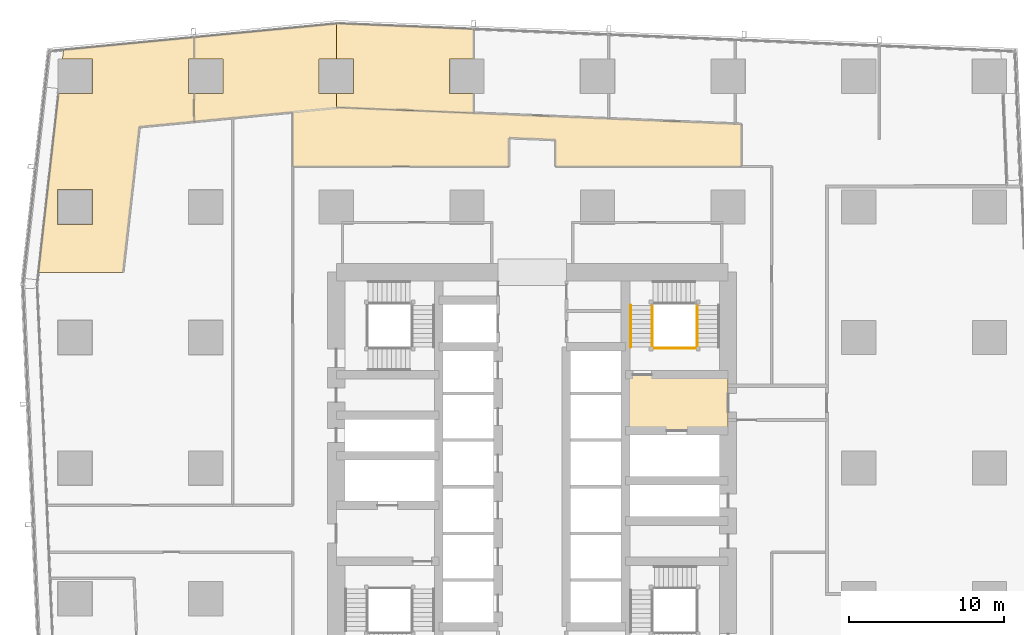
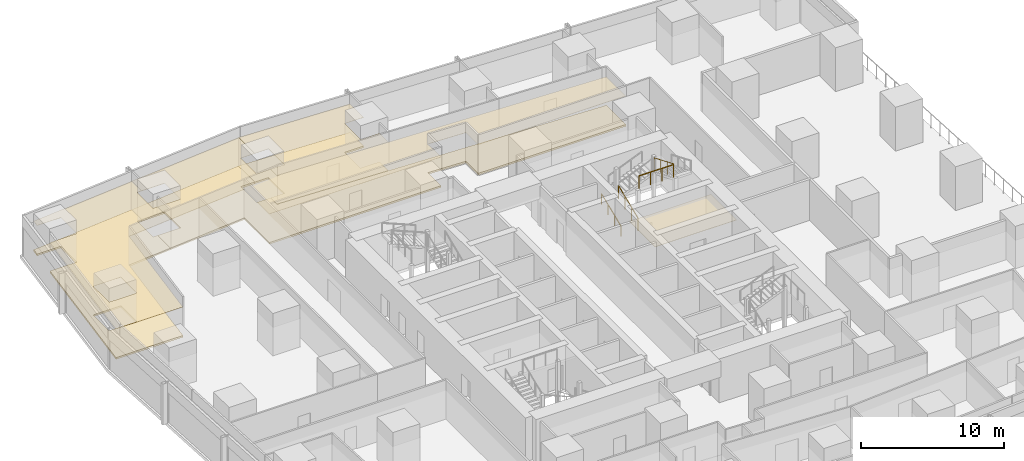
# One storey, part 40 of 42: 7 coverings, 4 railings.
"""IFC4 building model written with IfcOpenShell, lengths in metres."""

import ifcopenshell
import ifcopenshell.guid

model = None  # the IFC model being written
_history = None  # IfcOwnerHistory: only IFC2X3 demands one
_inside = {}  # id of a spatial element -> (the spatial element, [elements in it])
_under = {}  # id of a project, library or spatial element -> (it, [spatial elements below it])
_declared = {}  # id of a project -> (the project, [libraries it declares])
_typed = {}  # id of a type object -> (the type object, [elements of that type])
_made_of = {}  # id of a material, layer set ... -> (it, [elements and type objects made of it])


def new_model(schema):
    """Start an empty IFC model of exactly this schema.

    Asked for "IFC4X3", IfcOpenShell would pick the latest addendum, in which some entities
    have other attributes; the version numbers below select the first issue.
    IFC2X3 requires an IfcOwnerHistory on every rooted entity: one is made here for all.
    """
    global model, _history
    if schema == "IFC4X3":
        model = ifcopenshell.file(schema_version=(4, 3, 0, 0))
    else:
        model = ifcopenshell.file(schema=schema)
    _inside.clear()
    _under.clear()
    _declared.clear()
    _typed.clear()
    _made_of.clear()
    _history = None
    if model.schema == "IFC2X3":
        org = make("IfcOrganization", Name="unknown")
        user = make(
            "IfcPersonAndOrganization",
            ThePerson=make("IfcPerson", FamilyName="unknown"),
            TheOrganization=org,
        )
        app = make(
            "IfcApplication",
            ApplicationDeveloper=org,
            Version="unknown",
            ApplicationFullName="unknown",
            ApplicationIdentifier="unknown",
        )
        _history = make(
            "IfcOwnerHistory",
            OwningUser=user,
            OwningApplication=app,
            ChangeAction="ADDED",
            CreationDate=0,
        )
    return model


def make(cls, **values):
    """One entity of the class cls with the attributes given. An attribute that is None is left unset."""
    return model.create_entity(
        cls, **{name: value for name, value in values.items() if value is not None}
    )


def rooted(cls, **values):
    """An entity with a GlobalId (a new one), such as an element, a storey or a relation."""
    return make(cls, GlobalId=ifcopenshell.guid.new(), OwnerHistory=_history, **values)


def si_unit(unit_type, name, prefix=None):
    """IfcSIUnit, for example si_unit("LENGTHUNIT", "METRE", prefix="MILLI")."""
    return make("IfcSIUnit", UnitType=unit_type, Prefix=prefix, Name=name)


def assignment(units):
    """IfcUnitAssignment: the units of a project."""
    return None if units is None else make("IfcUnitAssignment", Units=units)


def point(xyz):
    """IfcCartesianPoint."""
    return None if xyz is None else make("IfcCartesianPoint", Coordinates=xyz)


def direction(xyz):
    """IfcDirection."""
    return None if xyz is None else make("IfcDirection", DirectionRatios=xyz)


def frame(location, z_axis=None, x_axis=None):
    """IfcAxis2Placement3D, a coordinate frame: its origin and axes. An axis left out is left unset."""
    return make(
        "IfcAxis2Placement3D",
        Location=point(location),
        Axis=direction(z_axis),
        RefDirection=direction(x_axis),
    )


def frame_2d(location, x_axis=None):
    """IfcAxis2Placement2D, a coordinate frame in the plane: its origin and x axis."""
    return make(
        "IfcAxis2Placement2D", Location=point(location), RefDirection=direction(x_axis)
    )


def origin():
    """The frame at (0, 0, 0) with its axes left unset."""
    return frame((0.0, 0.0, 0.0))


def origin_2d():
    """The frame at (0, 0) in the plane with its x axis left unset."""
    return frame_2d((0.0, 0.0))


def place(relative_to, where):
    """IfcLocalPlacement: puts the frame where relative to a parent placement (None: the world)."""
    return make(
        "IfcLocalPlacement", PlacementRelTo=relative_to, RelativePlacement=where
    )


def context(
    kind, dimensions, precision=None, world=None, true_north=None, identifier=None
):
    """IfcGeometricRepresentationContext, for example the 3D "Model" context."""
    return make(
        "IfcGeometricRepresentationContext",
        ContextIdentifier=identifier,
        ContextType=kind,
        CoordinateSpaceDimension=dimensions,
        Precision=precision,
        WorldCoordinateSystem=world,
        TrueNorth=true_north,
    )


def subcontext(parent, identifier, kind, view, scale=None):
    """IfcGeometricRepresentationSubContext, for example "Body" below "Model"."""
    return make(
        "IfcGeometricRepresentationSubContext",
        ContextIdentifier=identifier,
        ContextType=kind,
        ParentContext=parent,
        TargetScale=scale,
        TargetView=view,
    )


def project(units=None, contexts=None):
    """IfcProject with its units and contexts."""
    return rooted(
        "IfcProject",
        Name="project",
        RepresentationContexts=contexts,
        UnitsInContext=assignment(units),
    )


def spatial(cls, under=None, at=None, **own):
    """A site, building, storey or space (cls), placed at a placement, below another one or the project."""
    s = rooted(cls, ObjectPlacement=at, **own)
    if under is not None:
        _under.setdefault(under.id(), (under, []))[1].append(s)
    return s


def polyline(points):
    """IfcPolyline through the points."""
    return make("IfcPolyline", Points=[point(p) for p in points])


def profile(cls, at=None, kind="AREA", **sizes):
    """A parametric profile (cls). Its sizes go by their IFC names, for example OverallWidth=200.0."""
    return make(cls, ProfileType=kind, Position=at, **sizes)


def circle(**sizes):
    """IfcCircleProfileDef."""
    return profile("IfcCircleProfileDef", **sizes)


def outline(outer, holes=None, kind="AREA"):
    """IfcArbitraryClosedProfileDef: a profile drawn as a closed curve; with holes, ...WithVoids."""
    if holes is None:
        return make("IfcArbitraryClosedProfileDef", ProfileType=kind, OuterCurve=outer)
    return make(
        "IfcArbitraryProfileDefWithVoids",
        ProfileType=kind,
        OuterCurve=outer,
        InnerCurves=holes,
    )


def extrude(swept, where, along, depth):
    """IfcExtrudedAreaSolid: the profile swept, set in the frame where, extruded along a direction by depth."""
    return make(
        "IfcExtrudedAreaSolid",
        SweptArea=swept,
        Position=where,
        ExtrudedDirection=direction(along),
        Depth=depth,
    )


def shape(context_of_items, identifier, shape_type, items):
    """IfcShapeRepresentation: the items that make up one representation, for example the "Body"."""
    return make(
        "IfcShapeRepresentation",
        ContextOfItems=context_of_items,
        RepresentationIdentifier=identifier,
        RepresentationType=shape_type,
        Items=items,
    )


def material(Name=None, Category=None):
    """IfcMaterial."""
    return make("IfcMaterial", Name=Name, Category=Category)


def layer(
    of_material, thickness, ventilated=None, Name=None, Category=None, Priority=None
):
    """IfcMaterialLayer: one layer of a wall or slab, of a material (None: an air gap)."""
    return make(
        "IfcMaterialLayer",
        Material=of_material,
        LayerThickness=thickness,
        IsVentilated=ventilated,
        Name=Name,
        Category=Category,
        Priority=Priority,
    )


def layer_set(layers, Name=None):
    """IfcMaterialLayerSet."""
    return make("IfcMaterialLayerSet", MaterialLayers=layers, LayerSetName=Name)


def made_of(thing, what):
    """Note that an element or type object is made of a material, layer set ...; save() writes the relation."""
    if what is not None:
        _made_of.setdefault(what.id(), (what, []))[1].append(thing)
    return thing


def type_object(cls, material=None, **own):
    """A type object (cls), such as IfcWallType, which elements share."""
    return made_of(rooted(cls, **own), material)


def element(
    cls,
    number,
    at=None,
    inside=None,
    cuts=None,
    type_object=None,
    material=None,
    context=None,
    identifier="Body",
    shape_type=None,
    held_by="IfcProductDefinitionShape",
    body=None,
    shapes=None,
    **own,
):
    """One element of the class cls, such as IfcWall. Its Tag is "e" and its number.

    at: its placement. inside: the storey or other place that contains it. cuts: it is an
    opening in that element (IfcRelVoidsElement). A single representation is given by context,
    identifier, shape_type and body (its items); several are given by shapes. held_by: the class
    of the entity that holds the representations. save() writes the other relations.
    """
    e = rooted(cls, Tag="e%d" % number, ObjectPlacement=at, **own)
    if body is not None:
        shapes = [shape(context, identifier, shape_type, body)]
    if shapes is not None:
        e.Representation = make(held_by, Representations=shapes)
    if inside is not None:
        _inside.setdefault(inside.id(), (inside, []))[1].append(e)
    if cuts is not None:
        rooted(
            "IfcRelVoidsElement", RelatingBuildingElement=cuts, RelatedOpeningElement=e
        )
    if type_object is not None:
        _typed.setdefault(type_object.id(), (type_object, []))[1].append(e)
    return made_of(e, material)


def aggregate(whole, parts):
    """IfcRelAggregates: a whole, such as a stair, and the parts it consists of."""
    return rooted("IfcRelAggregates", RelatingObject=whole, RelatedObjects=parts)


def save(model, path):
    """Write the relations noted so far, then the file.

    IfcRelAggregates (storeys below a building ...), IfcRelContainedInSpatialStructure (elements
    in a storey), IfcRelDefinesByType, IfcRelAssociatesMaterial and IfcRelDeclares: one each for
    every whole, place, type object, material and project.
    """
    for whole, parts in _under.values():
        aggregate(whole, parts)
    for where, things in _inside.values():
        rooted(
            "IfcRelContainedInSpatialStructure",
            RelatedElements=things,
            RelatingStructure=where,
        )
    for kind, things in _typed.values():
        rooted("IfcRelDefinesByType", RelatedObjects=things, RelatingType=kind)
    for what, things in _made_of.values():
        rooted("IfcRelAssociatesMaterial", RelatedObjects=things, RelatingMaterial=what)
    for by, libraries in _declared.values():
        rooted("IfcRelDeclares", RelatingContext=by, RelatedDefinitions=libraries)
    model.write(path)


model = new_model("IFC4")

# Units and contexts
model_context = context("Model", 3, precision=1e-05, world=origin(), true_north=direction((0.0, 1.0)))
body_context = subcontext(model_context, "Body", "Model", "MODEL_VIEW")
ifc_project = project(units=[si_unit("LENGTHUNIT", "METRE"), si_unit("AREAUNIT", "SQUARE_METRE"), si_unit("VOLUMEUNIT", "CUBIC_METRE"), si_unit("PLANEANGLEUNIT", "RADIAN"), si_unit("MASSUNIT", "GRAM", prefix="KILO")], contexts=[model_context])

# Site, building, storey
site_placement = place(None, origin())
site = spatial("IfcSite", under=ifc_project, at=site_placement, CompositionType="ELEMENT")
building_placement = place(site_placement, origin())
building = spatial("IfcBuilding", under=site, at=building_placement, Name="Rekha Terrace Tower", CompositionType="ELEMENT")
storey_placement = place(building_placement, frame((0.0, 0.0, 70.39990234375)))
storey = spatial("IfcBuildingStorey", under=building, at=storey_placement, Name="L17", CompositionType="ELEMENT", Elevation=70.39990234375)

# Coverings
ifc_material_1 = material(Name="Mineral fibre tile in exposed grid", Category="finish")
ifc_layer_1 = layer(ifc_material_1, 0.02001953125)
ifc_layer_set_1 = layer_set([ifc_layer_1], Name="Mineral fibre tile in exposed grid")
covering_type_1 = type_object("IfcCoveringType", Name="CL1 600x1200 office grid ceiling", PredefinedType="CEILING", material=ifc_layer_set_1)
covering_1_placement = place(storey_placement, frame((0.0, 0.0, 2.580078125)))
element("IfcCovering", 1, at=covering_1_placement, inside=storey, type_object=covering_type_1, Name="Ceiling L17-12", PredefinedType="CEILING", context=body_context, shape_type="SweptSolid", body=[
    extrude(outline(polyline([(34.02099609375, 59.9150390625), (34.02099609375, 61.842041015625), (25.200927734375, 62.205078125), (25.200927734375, 59.9150390625), (26.31494140625, 59.9150390625), (26.31494140625, 57.68505859375), (25.200927734375, 57.68505859375), (25.200927734375, 56.801025390625), (34.02099609375, 56.43701171875), (34.02099609375, 57.68505859375), (32.485107421875, 57.68505859375), (32.485107421875, 59.9150390625), (34.02099609375, 59.9150390625)])), origin(), (0.0, 0.0, 1.0), 0.02001953125),
])
covering_2_placement = place(storey_placement, frame((0.0, 0.0, 2.580078125)))
element("IfcCovering", 2, at=covering_2_placement, inside=storey, type_object=covering_type_1, Name="Ceiling L17-14", PredefinedType="CEILING", context=body_context, shape_type="SweptSolid", body=[
    extrude(outline(polyline([(7.339111328125, 57.68505859375), (6.047119140625, 46.19091796875), (11.48095703125, 46.19091796875), (12.531982421875, 55.544921875), (16.052978515625, 55.883056640625), (16.052978515625, 57.68505859375), (15.68505859375, 57.68505859375), (15.68505859375, 59.9150390625), (16.052978515625, 59.9150390625), (16.052978515625, 61.30810546875), (7.655029296875, 60.5009765625), (7.589111328125, 59.9150390625), (9.514892578125, 59.9150390625), (9.514892578125, 57.68505859375), (7.339111328125, 57.68505859375)]), holes=[polyline([(9.514892578125, 51.514892578125), (9.514892578125, 49.284912109375), (7.284912109375, 49.284912109375), (7.284912109375, 51.514892578125), (9.514892578125, 51.514892578125)])]), origin(), (0.0, 0.0, 1.0), 0.02001953125),
])
covering_3_placement = place(storey_placement, frame((0.0, 0.0, 2.580078125)))
element("IfcCovering", 3, at=covering_3_placement, inside=storey, type_object=covering_type_1, Name="Ceiling L17-O3", PredefinedType="CEILING", context=body_context, shape_type="SweptSolid", body=[
    extrude(outline(polyline([(25.200927734375, 59.9150390625), (25.200927734375, 62.18798828125), (16.053955078125, 61.30810546875), (16.053955078125, 59.9150390625), (17.9150390625, 59.9150390625), (17.9150390625, 57.68505859375), (16.053955078125, 57.68505859375), (16.053955078125, 55.884033203125), (22.39990234375, 56.493896484375), (22.39990234375, 53.0), (36.300048828125, 53.0), (36.300048828125, 54.842041015625), (39.300048828125, 54.718017578125), (39.300048828125, 53.0), (51.2490234375, 53.0), (51.2490234375, 55.72705078125), (50.85009765625, 55.742919921875), (42.718017578125, 56.077880859375), (34.02099609375, 56.43701171875), (25.47412109375, 56.7890625), (25.200927734375, 56.762939453125), (25.200927734375, 57.68505859375), (24.0849609375, 57.68505859375), (24.0849609375, 59.9150390625), (25.200927734375, 59.9150390625)])), origin(), (0.0, 0.0, 1.0), 0.02001953125),
])
ifc_material_2 = material(Name="Powder-coated aluminium pan", Category="aluminium")
ifc_layer_2 = layer(ifc_material_2, 0.030029296875)
ifc_layer_set_2 = layer_set([ifc_layer_2], Name="Powder-coated aluminium pan")
covering_type_2 = type_object("IfcCoveringType", Name="CL3 300x1200 metal pan ceiling", PredefinedType="CEILING", material=ifc_layer_set_2)
covering_4_placement = place(storey_placement, frame((0.0, 0.0, 2.570068359375)))
element("IfcCovering", 4, at=covering_4_placement, inside=storey, type_object=covering_type_2, Name="Ceiling L17-FLB2", PredefinedType="CEILING", context=body_context, shape_type="SweptSolid", body=[
    extrude(outline(polyline([(50.39990234375, 39.60009765625), (43.800048828125, 39.60009765625), (43.800048828125, 36.0), (50.39990234375, 36.0), (50.39990234375, 39.60009765625)])), origin(), (0.0, 0.0, 1.0), 0.030029296875),
])

# Railings
ifc_material_3 = material(Name="Stainless steel balustrade", Category="steel")
railing_type_1 = type_object("IfcRailingType", Name="GR1 1100 stair guard", PredefinedType="GUARDRAIL", material=ifc_material_3)
railing_1_placement = place(storey_placement, frame((45.514892578125, 41.375, 0.125)))
element("IfcRailing", 5, at=railing_1_placement, inside=storey, type_object=railing_type_1, Name="Guard ST2 L17 flight 1", PredefinedType="GUARDRAIL", context=body_context, shape_type="SweptSolid", body=[
    extrude(circle(Radius=0.02392578125, at=origin_2d()), frame((0.0, 0.0, 1.076171875), z_axis=(0.0, 0.923074453586, 0.384621311341), x_axis=(-1.0, 0.0, 0.0)), (0.0, 0.0, 1.0), 2.925048828125),
    extrude(circle(Radius=0.02099609375, at=origin_2d()), origin(), (0.0, 0.0, 1.0), 1.052001953125),
    extrude(circle(Radius=0.02099609375, at=origin_2d()), frame((0.0, 0.89990234375, 0.375)), (0.0, 0.0, 1.0), 1.052001953125),
    extrude(circle(Radius=0.02099609375, at=origin_2d()), frame((0.0, 1.800048828125, 0.75)), (0.0, 0.0, 1.0), 1.052001953125),
    extrude(circle(Radius=0.02099609375, at=origin_2d()), frame((0.0, 2.699951171875, 1.125)), (0.0, 0.0, 1.0), 1.052001953125),
])
railing_2_placement = place(storey_placement, frame((48.409912109375, 44.074951171875, 2.625)))
element("IfcRailing", 6, at=railing_2_placement, inside=storey, type_object=railing_type_1, Name="Guard ST2 L17 flight 3", PredefinedType="GUARDRAIL", context=body_context, shape_type="SweptSolid", body=[
    extrude(circle(Radius=0.02392578125, at=origin_2d()), frame((0.0, 0.0, 1.076171875), z_axis=(0.0, -0.923074453586, 0.384621311341), x_axis=(1.0, 0.0, 0.0)), (0.0, 0.0, 1.0), 2.925048828125),
    extrude(circle(Radius=0.02099609375, at=origin_2d()), origin(), (0.0, 0.0, 1.0), 1.052001953125),
    extrude(circle(Radius=0.02099609375, at=origin_2d()), frame((0.0, -0.89990234375, 0.375)), (0.0, 0.0, 1.0), 1.052001953125),
    extrude(circle(Radius=0.02099609375, at=origin_2d()), frame((0.0, -1.800048828125, 0.75)), (0.0, 0.0, 1.0), 1.052001953125),
    extrude(circle(Radius=0.02099609375, at=origin_2d()), frame((0.0, -2.699951171875, 1.125)), (0.0, 0.0, 1.0), 1.052001953125),
])
railing_3_placement = place(storey_placement, frame((45.574951171875, 41.31494140625, 3.75)))
element("IfcRailing", 7, at=railing_3_placement, inside=storey, type_object=railing_type_1, Name="Guard ST2 L17 landing 4", PredefinedType="GUARDRAIL", context=body_context, shape_type="SweptSolid", body=[
    extrude(circle(Radius=0.02392578125, at=origin_2d()), frame((0.0, 0.0, 1.076171875), z_axis=(1.0, 0.0, 0.0), x_axis=(0.0, 1.0, 0.0)), (0.0, 0.0, 1.0), 2.775146484375),
    extrude(circle(Radius=0.02099609375, at=origin_2d()), origin(), (0.0, 0.0, 1.0), 1.052001953125),
    extrude(circle(Radius=0.02099609375, at=origin_2d()), frame((0.925048828125, 0.0, 0.0)), (0.0, 0.0, 1.0), 1.052001953125),
    extrude(circle(Radius=0.02099609375, at=origin_2d()), frame((1.85009765625, 0.0, 0.0)), (0.0, 0.0, 1.0), 1.052001953125),
    extrude(circle(Radius=0.02099609375, at=origin_2d()), frame((2.775146484375, 0.0, 0.0)), (0.0, 0.0, 1.0), 1.052001953125),
])
ifc_material_4 = material(Name="Stainless steel tube", Category="steel")
railing_type_2 = type_object("IfcRailingType", Name="HR1 900 stair handrail", PredefinedType="HANDRAIL", material=ifc_material_4)
railing_4_placement = place(storey_placement, frame((44.135009765625, 41.375, 0.125)))
element("IfcRailing", 8, at=railing_4_placement, inside=storey, type_object=railing_type_2, Name="Handrail ST2 L17 flight 1", PredefinedType="HANDRAIL", context=body_context, shape_type="SweptSolid", body=[
    extrude(circle(Radius=0.02392578125, at=origin_2d()), frame((0.0, 0.0, 0.8759765625), z_axis=(0.0, 0.923074453586, 0.384621311341), x_axis=(-1.0, 0.0, 0.0)), (0.0, 0.0, 1.0), 2.925048828125),
    extrude(circle(Radius=0.02099609375, at=origin_2d()), origin(), (0.0, 0.0, 1.0), 0.851806640625),
    extrude(circle(Radius=0.02099609375, at=origin_2d()), frame((0.0, 0.89990234375, 0.375)), (0.0, 0.0, 1.0), 0.851806640625),
    extrude(circle(Radius=0.02099609375, at=origin_2d()), frame((0.0, 1.800048828125, 0.75)), (0.0, 0.0, 1.0), 0.851806640625),
    extrude(circle(Radius=0.02099609375, at=origin_2d()), frame((0.0, 2.699951171875, 1.125)), (0.0, 0.0, 1.0), 0.851806640625),
])

# Coverings
ifc_material_5 = material(Name="Calcium sulphate panels on steel pedestals", Category="steel")
ifc_layer_3 = layer(ifc_material_5, 0.14990234375)
ifc_layer_set_3 = layer_set([ifc_layer_3], Name="Calcium sulphate panels on steel pedestals")
covering_type_3 = type_object("IfcCoveringType", Name="RF1 150 raised access floor", PredefinedType="FLOORING", material=ifc_layer_set_3)
covering_5_placement = place(storey_placement, origin())
element("IfcCovering", 9, at=covering_5_placement, inside=storey, type_object=covering_type_3, Name="Raised floor L17-12", PredefinedType="FLOORING", context=body_context, shape_type="SweptSolid", body=[
    extrude(outline(polyline([(34.02099609375, 59.9150390625), (34.02099609375, 61.842041015625), (25.200927734375, 62.205078125), (25.200927734375, 59.9150390625), (26.31494140625, 59.9150390625), (26.31494140625, 57.68505859375), (25.200927734375, 57.68505859375), (25.200927734375, 56.801025390625), (34.02099609375, 56.43701171875), (34.02099609375, 57.68505859375), (32.485107421875, 57.68505859375), (32.485107421875, 59.9150390625), (34.02099609375, 59.9150390625)])), origin(), (0.0, 0.0, 1.0), 0.150146484375),
])
covering_6_placement = place(storey_placement, origin())
element("IfcCovering", 10, at=covering_6_placement, inside=storey, type_object=covering_type_3, Name="Raised floor L17-14", PredefinedType="FLOORING", context=body_context, shape_type="SweptSolid", body=[
    extrude(outline(polyline([(7.339111328125, 57.68505859375), (6.047119140625, 46.19091796875), (11.48095703125, 46.19091796875), (12.531982421875, 55.544921875), (16.052978515625, 55.883056640625), (16.052978515625, 57.68505859375), (15.68505859375, 57.68505859375), (15.68505859375, 59.9150390625), (16.052978515625, 59.9150390625), (16.052978515625, 61.30810546875), (7.655029296875, 60.5009765625), (7.589111328125, 59.9150390625), (9.514892578125, 59.9150390625), (9.514892578125, 57.68505859375), (7.339111328125, 57.68505859375)]), holes=[polyline([(9.514892578125, 51.514892578125), (9.514892578125, 49.284912109375), (7.284912109375, 49.284912109375), (7.284912109375, 51.514892578125), (9.514892578125, 51.514892578125)])]), origin(), (0.0, 0.0, 1.0), 0.150146484375),
])
covering_7_placement = place(storey_placement, origin())
element("IfcCovering", 11, at=covering_7_placement, inside=storey, type_object=covering_type_3, Name="Raised floor L17-O3", PredefinedType="FLOORING", context=body_context, shape_type="SweptSolid", body=[
    extrude(outline(polyline([(25.200927734375, 59.9150390625), (25.200927734375, 62.18798828125), (16.053955078125, 61.30810546875), (16.053955078125, 59.9150390625), (17.9150390625, 59.9150390625), (17.9150390625, 57.68505859375), (16.053955078125, 57.68505859375), (16.053955078125, 55.884033203125), (22.39990234375, 56.493896484375), (22.39990234375, 53.0), (36.300048828125, 53.0), (36.300048828125, 54.842041015625), (39.300048828125, 54.718017578125), (39.300048828125, 53.0), (51.2490234375, 53.0), (51.2490234375, 55.72705078125), (50.85009765625, 55.742919921875), (42.718017578125, 56.077880859375), (34.02099609375, 56.43701171875), (25.47412109375, 56.7890625), (25.200927734375, 56.762939453125), (25.200927734375, 57.68505859375), (24.0849609375, 57.68505859375), (24.0849609375, 59.9150390625), (25.200927734375, 59.9150390625)])), origin(), (0.0, 0.0, 1.0), 0.150146484375),
])

save(model, "model.ifc")
